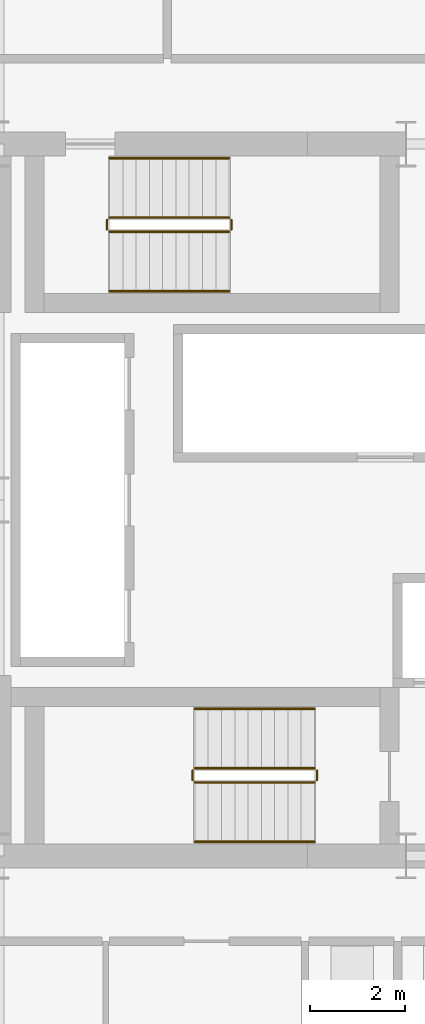
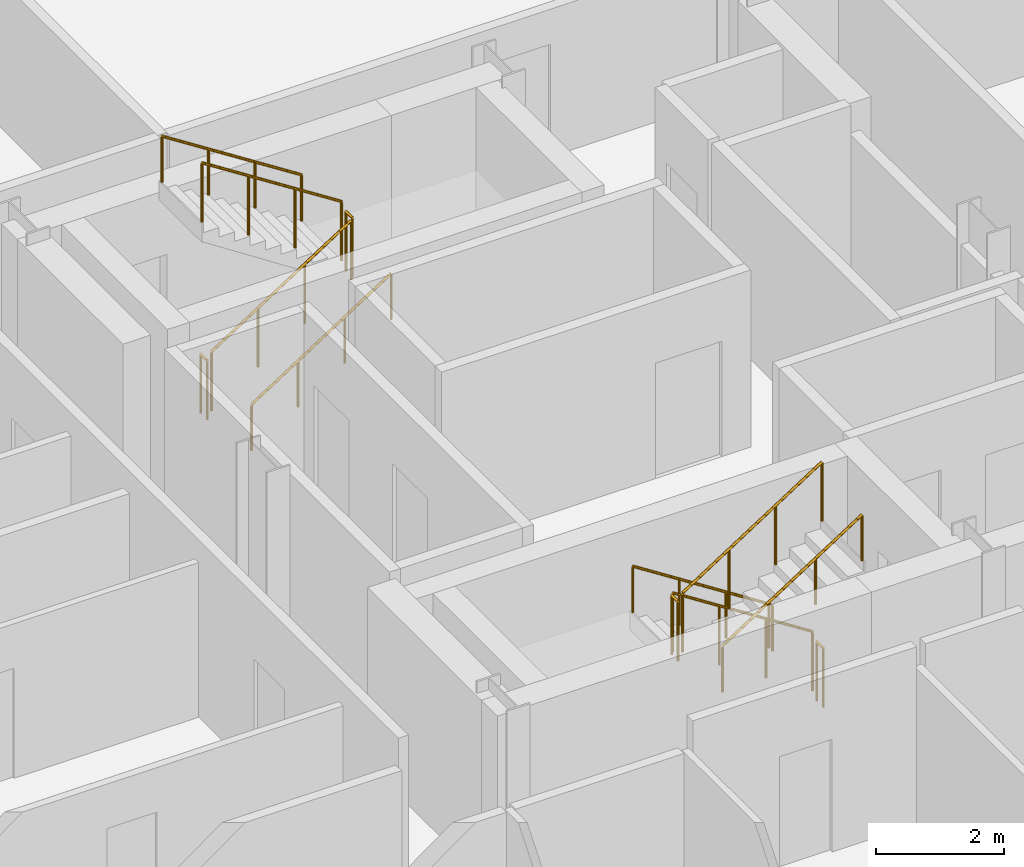
# One storey, part 22 of 23: 12 railings.
"""IFC4 building model written with IfcOpenShell, lengths in metres."""

import ifcopenshell
import ifcopenshell.guid

model = None  # the IFC model being written
_history = None  # IfcOwnerHistory: only IFC2X3 demands one
_inside = {}  # id of a spatial element -> (the spatial element, [elements in it])
_under = {}  # id of a project, library or spatial element -> (it, [spatial elements below it])
_declared = {}  # id of a project -> (the project, [libraries it declares])
_typed = {}  # id of a type object -> (the type object, [elements of that type])
_made_of = {}  # id of a material, layer set ... -> (it, [elements and type objects made of it])


def new_model(schema):
    """Start an empty IFC model of exactly this schema.

    Asked for "IFC4X3", IfcOpenShell would pick the latest addendum, in which some entities
    have other attributes; the version numbers below select the first issue.
    IFC2X3 requires an IfcOwnerHistory on every rooted entity: one is made here for all.
    """
    global model, _history
    if schema == "IFC4X3":
        model = ifcopenshell.file(schema_version=(4, 3, 0, 0))
    else:
        model = ifcopenshell.file(schema=schema)
    _inside.clear()
    _under.clear()
    _declared.clear()
    _typed.clear()
    _made_of.clear()
    _history = None
    if model.schema == "IFC2X3":
        org = make("IfcOrganization", Name="unknown")
        user = make(
            "IfcPersonAndOrganization",
            ThePerson=make("IfcPerson", FamilyName="unknown"),
            TheOrganization=org,
        )
        app = make(
            "IfcApplication",
            ApplicationDeveloper=org,
            Version="unknown",
            ApplicationFullName="unknown",
            ApplicationIdentifier="unknown",
        )
        _history = make(
            "IfcOwnerHistory",
            OwningUser=user,
            OwningApplication=app,
            ChangeAction="ADDED",
            CreationDate=0,
        )
    return model


def make(cls, **values):
    """One entity of the class cls with the attributes given. An attribute that is None is left unset."""
    return model.create_entity(
        cls, **{name: value for name, value in values.items() if value is not None}
    )


def rooted(cls, **values):
    """An entity with a GlobalId (a new one), such as an element, a storey or a relation."""
    return make(cls, GlobalId=ifcopenshell.guid.new(), OwnerHistory=_history, **values)


def si_unit(unit_type, name, prefix=None):
    """IfcSIUnit, for example si_unit("LENGTHUNIT", "METRE", prefix="MILLI")."""
    return make("IfcSIUnit", UnitType=unit_type, Prefix=prefix, Name=name)


def assignment(units):
    """IfcUnitAssignment: the units of a project."""
    return None if units is None else make("IfcUnitAssignment", Units=units)


def point(xyz):
    """IfcCartesianPoint."""
    return None if xyz is None else make("IfcCartesianPoint", Coordinates=xyz)


def direction(xyz):
    """IfcDirection."""
    return None if xyz is None else make("IfcDirection", DirectionRatios=xyz)


def frame(location, z_axis=None, x_axis=None):
    """IfcAxis2Placement3D, a coordinate frame: its origin and axes. An axis left out is left unset."""
    return make(
        "IfcAxis2Placement3D",
        Location=point(location),
        Axis=direction(z_axis),
        RefDirection=direction(x_axis),
    )


def frame_2d(location, x_axis=None):
    """IfcAxis2Placement2D, a coordinate frame in the plane: its origin and x axis."""
    return make(
        "IfcAxis2Placement2D", Location=point(location), RefDirection=direction(x_axis)
    )


def origin():
    """The frame at (0, 0, 0) with its axes left unset."""
    return frame((0.0, 0.0, 0.0))


def origin_2d():
    """The frame at (0, 0) in the plane with its x axis left unset."""
    return frame_2d((0.0, 0.0))


def place(relative_to, where):
    """IfcLocalPlacement: puts the frame where relative to a parent placement (None: the world)."""
    return make(
        "IfcLocalPlacement", PlacementRelTo=relative_to, RelativePlacement=where
    )


def context(
    kind, dimensions, precision=None, world=None, true_north=None, identifier=None
):
    """IfcGeometricRepresentationContext, for example the 3D "Model" context."""
    return make(
        "IfcGeometricRepresentationContext",
        ContextIdentifier=identifier,
        ContextType=kind,
        CoordinateSpaceDimension=dimensions,
        Precision=precision,
        WorldCoordinateSystem=world,
        TrueNorth=true_north,
    )


def subcontext(parent, identifier, kind, view, scale=None):
    """IfcGeometricRepresentationSubContext, for example "Body" below "Model"."""
    return make(
        "IfcGeometricRepresentationSubContext",
        ContextIdentifier=identifier,
        ContextType=kind,
        ParentContext=parent,
        TargetScale=scale,
        TargetView=view,
    )


def project(units=None, contexts=None):
    """IfcProject with its units and contexts."""
    return rooted(
        "IfcProject",
        Name="project",
        RepresentationContexts=contexts,
        UnitsInContext=assignment(units),
    )


def spatial(cls, under=None, at=None, **own):
    """A site, building, storey or space (cls), placed at a placement, below another one or the project."""
    s = rooted(cls, ObjectPlacement=at, **own)
    if under is not None:
        _under.setdefault(under.id(), (under, []))[1].append(s)
    return s


def profile(cls, at=None, kind="AREA", **sizes):
    """A parametric profile (cls). Its sizes go by their IFC names, for example OverallWidth=200.0."""
    return make(cls, ProfileType=kind, Position=at, **sizes)


def circle(**sizes):
    """IfcCircleProfileDef."""
    return profile("IfcCircleProfileDef", **sizes)


def extrude(swept, where, along, depth):
    """IfcExtrudedAreaSolid: the profile swept, set in the frame where, extruded along a direction by depth."""
    return make(
        "IfcExtrudedAreaSolid",
        SweptArea=swept,
        Position=where,
        ExtrudedDirection=direction(along),
        Depth=depth,
    )


def shape(context_of_items, identifier, shape_type, items):
    """IfcShapeRepresentation: the items that make up one representation, for example the "Body"."""
    return make(
        "IfcShapeRepresentation",
        ContextOfItems=context_of_items,
        RepresentationIdentifier=identifier,
        RepresentationType=shape_type,
        Items=items,
    )


def material(Name=None, Category=None):
    """IfcMaterial."""
    return make("IfcMaterial", Name=Name, Category=Category)


def made_of(thing, what):
    """Note that an element or type object is made of a material, layer set ...; save() writes the relation."""
    if what is not None:
        _made_of.setdefault(what.id(), (what, []))[1].append(thing)
    return thing


def type_object(cls, material=None, **own):
    """A type object (cls), such as IfcWallType, which elements share."""
    return made_of(rooted(cls, **own), material)


def element(
    cls,
    number,
    at=None,
    inside=None,
    cuts=None,
    type_object=None,
    material=None,
    context=None,
    identifier="Body",
    shape_type=None,
    held_by="IfcProductDefinitionShape",
    body=None,
    shapes=None,
    **own,
):
    """One element of the class cls, such as IfcWall. Its Tag is "e" and its number.

    at: its placement. inside: the storey or other place that contains it. cuts: it is an
    opening in that element (IfcRelVoidsElement). A single representation is given by context,
    identifier, shape_type and body (its items); several are given by shapes. held_by: the class
    of the entity that holds the representations. save() writes the other relations.
    """
    e = rooted(cls, Tag="e%d" % number, ObjectPlacement=at, **own)
    if body is not None:
        shapes = [shape(context, identifier, shape_type, body)]
    if shapes is not None:
        e.Representation = make(held_by, Representations=shapes)
    if inside is not None:
        _inside.setdefault(inside.id(), (inside, []))[1].append(e)
    if cuts is not None:
        rooted(
            "IfcRelVoidsElement", RelatingBuildingElement=cuts, RelatedOpeningElement=e
        )
    if type_object is not None:
        _typed.setdefault(type_object.id(), (type_object, []))[1].append(e)
    return made_of(e, material)


def aggregate(whole, parts):
    """IfcRelAggregates: a whole, such as a stair, and the parts it consists of."""
    return rooted("IfcRelAggregates", RelatingObject=whole, RelatedObjects=parts)


def save(model, path):
    """Write the relations noted so far, then the file.

    IfcRelAggregates (storeys below a building ...), IfcRelContainedInSpatialStructure (elements
    in a storey), IfcRelDefinesByType, IfcRelAssociatesMaterial and IfcRelDeclares: one each for
    every whole, place, type object, material and project.
    """
    for whole, parts in _under.values():
        aggregate(whole, parts)
    for where, things in _inside.values():
        rooted(
            "IfcRelContainedInSpatialStructure",
            RelatedElements=things,
            RelatingStructure=where,
        )
    for kind, things in _typed.values():
        rooted("IfcRelDefinesByType", RelatedObjects=things, RelatingType=kind)
    for what, things in _made_of.values():
        rooted("IfcRelAssociatesMaterial", RelatedObjects=things, RelatingMaterial=what)
    for by, libraries in _declared.values():
        rooted("IfcRelDeclares", RelatingContext=by, RelatedDefinitions=libraries)
    model.write(path)


model = new_model("IFC4")

# Units and contexts
model_context = context("Model", 3, precision=1e-05, world=origin(), true_north=direction((0.0, 1.0)))
body_context = subcontext(model_context, "Body", "Model", "MODEL_VIEW")
ifc_project = project(units=[si_unit("LENGTHUNIT", "METRE"), si_unit("AREAUNIT", "SQUARE_METRE"), si_unit("VOLUMEUNIT", "CUBIC_METRE"), si_unit("PLANEANGLEUNIT", "RADIAN"), si_unit("MASSUNIT", "GRAM", prefix="KILO")], contexts=[model_context])

# Site, building, storey
site_placement = place(None, origin())
site = spatial("IfcSite", under=ifc_project, at=site_placement, CompositionType="ELEMENT")
building_placement = place(site_placement, origin())
building = spatial("IfcBuilding", under=site, at=building_placement, Name="Barlavira Tower and Art Museum", CompositionType="ELEMENT")
storey_placement = place(building_placement, frame((0.0, 0.0, 54.0)))
storey = spatial("IfcBuildingStorey", under=building, at=storey_placement, Name="L12", CompositionType="ELEMENT", Elevation=54.0)

# Railings
ifc_material = material(Name="Brushed stainless steel", Category="steel")
railing_type_1 = type_object("IfcRailingType", Name="Interior Void and Landing Guard Railing 1150", PredefinedType="GUARDRAIL", material=ifc_material)
railing_1_placement = place(storey_placement, frame((0.14990234375, -5.64990234375, 0.179931640625)))
element("IfcRailing", 1, at=railing_1_placement, inside=storey, type_object=railing_type_1, Name="L12 ST-T1 stair guard 1", PredefinedType="GUARDRAIL", context=body_context, shape_type="SweptSolid", body=[
    extrude(circle(Radius=0.02392578125, at=origin_2d()), frame((0.0, 0.0, 1.1259765625), z_axis=(-0.841162588446, 0.0, 0.540782303519), x_axis=(0.0, -1.0, 0.0)), (0.0, 0.0, 1.0), 2.995849609375),
    extrude(circle(Radius=0.02099609375, at=origin_2d()), origin(), (0.0, 0.0, 1.0), 1.101806640625),
    extrude(circle(Radius=0.02099609375, at=origin_2d()), frame((-0.840087890625, 0.0, 0.5400390625)), (0.0, 0.0, 1.0), 1.101806640625),
    extrude(circle(Radius=0.02099609375, at=origin_2d()), frame((-1.679931640625, 0.0, 1.080078125)), (0.0, 0.0, 1.0), 1.101806640625),
    extrude(circle(Radius=0.02099609375, at=origin_2d()), frame((-2.52001953125, 0.0, 1.6201171875)), (0.0, 0.0, 1.0), 1.101806640625),
])
railing_2_placement = place(storey_placement, frame((-2.419921875, -5.699951171875, 1.800048828125)))
element("IfcRailing", 2, at=railing_2_placement, inside=storey, type_object=railing_type_1, Name="L12 ST-T1 stair guard 2", PredefinedType="GUARDRAIL", context=body_context, shape_type="SweptSolid", body=[
    extrude(circle(Radius=0.02392578125, at=origin_2d()), frame((0.0, 0.0, 1.1259765625), z_axis=(0.0, -1.0, 0.0), x_axis=(1.0, 0.0, 0.0)), (0.0, 0.0, 1.0), 0.199951171875),
    extrude(circle(Radius=0.02099609375, at=origin_2d()), origin(), (0.0, 0.0, 1.0), 1.101806640625),
    extrude(circle(Radius=0.02099609375, at=origin_2d()), frame((0.0, -0.199951171875, 0.0)), (0.0, 0.0, 1.0), 1.101806640625),
])
railing_3_placement = place(storey_placement, frame((-2.3701171875, -5.949951171875, 1.97998046875)))
element("IfcRailing", 3, at=railing_3_placement, inside=storey, type_object=railing_type_1, Name="L12 ST-T1 stair guard 3", PredefinedType="GUARDRAIL", context=body_context, shape_type="SweptSolid", body=[
    extrude(circle(Radius=0.02392578125, at=origin_2d()), frame((0.0, 0.0, 1.1259765625), z_axis=(0.841162588446, 0.0, 0.540782303519), x_axis=(0.0, 1.0, 0.0)), (0.0, 0.0, 1.0), 2.995849609375),
    extrude(circle(Radius=0.02099609375, at=origin_2d()), origin(), (0.0, 0.0, 1.0), 1.101806640625),
    extrude(circle(Radius=0.02099609375, at=origin_2d()), frame((0.840087890625, 0.0, 0.5400390625)), (0.0, 0.0, 1.0), 1.101806640625),
    extrude(circle(Radius=0.02099609375, at=origin_2d()), frame((1.679931640625, 0.0, 1.080078125)), (0.0, 0.0, 1.0), 1.101806640625),
    extrude(circle(Radius=0.02099609375, at=origin_2d()), frame((2.52001953125, 0.0, 1.6201171875)), (0.0, 0.0, 1.0), 1.101806640625),
])
railing_4_placement = place(storey_placement, frame((0.199951171875, -5.699951171875, 0.0)))
element("IfcRailing", 4, at=railing_4_placement, inside=storey, type_object=railing_type_1, Name="L12 ST-T1 stair guard 4", PredefinedType="GUARDRAIL", context=body_context, shape_type="SweptSolid", body=[
    extrude(circle(Radius=0.02392578125, at=origin_2d()), frame((0.0, 0.0, 1.1259765625), z_axis=(0.0, -1.0, 0.0), x_axis=(1.0, 0.0, 0.0)), (0.0, 0.0, 1.0), 0.199951171875),
    extrude(circle(Radius=0.02099609375, at=origin_2d()), origin(), (0.0, 0.0, 1.0), 1.101806640625),
    extrude(circle(Radius=0.02099609375, at=origin_2d()), frame((0.0, -0.199951171875, 0.0)), (0.0, 0.0, 1.0), 1.101806640625),
])
railing_5_placement = place(storey_placement, frame((-4.169921875, 5.64990234375, 0.179931640625)))
element("IfcRailing", 5, at=railing_5_placement, inside=storey, type_object=railing_type_1, Name="L12 ST-T2 stair guard 1", PredefinedType="GUARDRAIL", context=body_context, shape_type="SweptSolid", body=[
    extrude(circle(Radius=0.02392578125, at=origin_2d()), frame((0.0, 0.0, 1.1259765625), z_axis=(0.841162588446, 0.0, 0.540782303519), x_axis=(0.0, 1.0, 0.0)), (0.0, 0.0, 1.0), 2.995849609375),
    extrude(circle(Radius=0.02099609375, at=origin_2d()), origin(), (0.0, 0.0, 1.0), 1.101806640625),
    extrude(circle(Radius=0.02099609375, at=origin_2d()), frame((0.840087890625, 0.0, 0.5400390625)), (0.0, 0.0, 1.0), 1.101806640625),
    extrude(circle(Radius=0.02099609375, at=origin_2d()), frame((1.679931640625, 0.0, 1.080078125)), (0.0, 0.0, 1.0), 1.101806640625),
    extrude(circle(Radius=0.02099609375, at=origin_2d()), frame((2.52001953125, 0.0, 1.6201171875)), (0.0, 0.0, 1.0), 1.101806640625),
])
railing_6_placement = place(storey_placement, frame((-1.60009765625, 5.699951171875, 1.800048828125)))
element("IfcRailing", 6, at=railing_6_placement, inside=storey, type_object=railing_type_1, Name="L12 ST-T2 stair guard 2", PredefinedType="GUARDRAIL", context=body_context, shape_type="SweptSolid", body=[
    extrude(circle(Radius=0.02392578125, at=origin_2d()), frame((0.0, 0.0, 1.1259765625), z_axis=(0.0, 1.0, 0.0), x_axis=(-1.0, 0.0, 0.0)), (0.0, 0.0, 1.0), 0.199951171875),
    extrude(circle(Radius=0.02099609375, at=origin_2d()), origin(), (0.0, 0.0, 1.0), 1.101806640625),
    extrude(circle(Radius=0.02099609375, at=origin_2d()), frame((0.0, 0.199951171875, 0.0)), (0.0, 0.0, 1.0), 1.101806640625),
])
railing_7_placement = place(storey_placement, frame((-1.64990234375, 5.949951171875, 1.97998046875)))
element("IfcRailing", 7, at=railing_7_placement, inside=storey, type_object=railing_type_1, Name="L12 ST-T2 stair guard 3", PredefinedType="GUARDRAIL", context=body_context, shape_type="SweptSolid", body=[
    extrude(circle(Radius=0.02392578125, at=origin_2d()), frame((0.0, 0.0, 1.1259765625), z_axis=(-0.841162588446, 0.0, 0.540782303519), x_axis=(0.0, -1.0, 0.0)), (0.0, 0.0, 1.0), 2.995849609375),
    extrude(circle(Radius=0.02099609375, at=origin_2d()), origin(), (0.0, 0.0, 1.0), 1.101806640625),
    extrude(circle(Radius=0.02099609375, at=origin_2d()), frame((-0.840087890625, 0.0, 0.5400390625)), (0.0, 0.0, 1.0), 1.101806640625),
    extrude(circle(Radius=0.02099609375, at=origin_2d()), frame((-1.679931640625, 0.0, 1.080078125)), (0.0, 0.0, 1.0), 1.101806640625),
    extrude(circle(Radius=0.02099609375, at=origin_2d()), frame((-2.52001953125, 0.0, 1.6201171875)), (0.0, 0.0, 1.0), 1.101806640625),
])
railing_8_placement = place(storey_placement, frame((-4.219970703125, 5.699951171875, 0.0)))
element("IfcRailing", 8, at=railing_8_placement, inside=storey, type_object=railing_type_1, Name="L12 ST-T2 stair guard 4", PredefinedType="GUARDRAIL", context=body_context, shape_type="SweptSolid", body=[
    extrude(circle(Radius=0.02392578125, at=origin_2d()), frame((0.0, 0.0, 1.1259765625), z_axis=(0.0, 1.0, 0.0), x_axis=(-1.0, 0.0, 0.0)), (0.0, 0.0, 1.0), 0.199951171875),
    extrude(circle(Radius=0.02099609375, at=origin_2d()), origin(), (0.0, 0.0, 1.0), 1.101806640625),
    extrude(circle(Radius=0.02099609375, at=origin_2d()), frame((0.0, 0.199951171875, 0.0)), (0.0, 0.0, 1.0), 1.101806640625),
])
railing_type_2 = type_object("IfcRailingType", Name="Stair Pitch Tubular Steel Handrail 920", PredefinedType="HANDRAIL", material=ifc_material)
railing_9_placement = place(storey_placement, frame((0.14990234375, -4.39990234375, 0.179931640625)))
element("IfcRailing", 9, at=railing_9_placement, inside=storey, type_object=railing_type_2, Name="L12 ST-T1 stair handrail 1", PredefinedType="HANDRAIL", context=body_context, shape_type="SweptSolid", body=[
    extrude(circle(Radius=0.02392578125, at=origin_2d()), frame((0.0, 0.0, 0.8759765625), z_axis=(-0.841162588446, 0.0, 0.540782303519), x_axis=(0.0, -1.0, 0.0)), (0.0, 0.0, 1.0), 2.995849609375),
    extrude(circle(Radius=0.02099609375, at=origin_2d()), origin(), (0.0, 0.0, 1.0), 0.851806640625),
    extrude(circle(Radius=0.02099609375, at=origin_2d()), frame((-0.840087890625, 0.0, 0.5400390625)), (0.0, 0.0, 1.0), 0.851806640625),
    extrude(circle(Radius=0.02099609375, at=origin_2d()), frame((-1.679931640625, 0.0, 1.080078125)), (0.0, 0.0, 1.0), 0.851806640625),
    extrude(circle(Radius=0.02099609375, at=origin_2d()), frame((-2.52001953125, 0.0, 1.6201171875)), (0.0, 0.0, 1.0), 0.851806640625),
])
for number, where, name in (
    (10, (-2.3701171875, -7.199951171875, 1.97998046875), "L12 ST-T1 stair handrail 2"),
    (11, (-4.169921875, 4.39990234375, 0.179931640625), "L12 ST-T2 stair handrail 1"),
):
    element("IfcRailing", number, at=place(storey_placement, frame(where)), inside=storey, type_object=railing_type_2, Name=name, PredefinedType="HANDRAIL", context=body_context, shape_type="SweptSolid", body=[
        extrude(circle(Radius=0.02392578125, at=origin_2d()), frame((0.0, 0.0, 0.8759765625), z_axis=(0.841162588446, 0.0, 0.540782303519), x_axis=(0.0, 1.0, 0.0)), (0.0, 0.0, 1.0), 2.995849609375),
        extrude(circle(Radius=0.02099609375, at=origin_2d()), origin(), (0.0, 0.0, 1.0), 0.851806640625),
        extrude(circle(Radius=0.02099609375, at=origin_2d()), frame((0.840087890625, 0.0, 0.5400390625)), (0.0, 0.0, 1.0), 0.851806640625),
        extrude(circle(Radius=0.02099609375, at=origin_2d()), frame((1.679931640625, 0.0, 1.080078125)), (0.0, 0.0, 1.0), 0.851806640625),
        extrude(circle(Radius=0.02099609375, at=origin_2d()), frame((2.52001953125, 0.0, 1.6201171875)), (0.0, 0.0, 1.0), 0.851806640625),
    ])
railing_10_placement = place(storey_placement, frame((-1.64990234375, 7.199951171875, 1.97998046875)))
element("IfcRailing", 12, at=railing_10_placement, inside=storey, type_object=railing_type_2, Name="L12 ST-T2 stair handrail 2", PredefinedType="HANDRAIL", context=body_context, shape_type="SweptSolid", body=[
    extrude(circle(Radius=0.02392578125, at=origin_2d()), frame((0.0, 0.0, 0.8759765625), z_axis=(-0.841162588446, 0.0, 0.540782303519), x_axis=(0.0, -1.0, 0.0)), (0.0, 0.0, 1.0), 2.995849609375),
    extrude(circle(Radius=0.02099609375, at=origin_2d()), origin(), (0.0, 0.0, 1.0), 0.851806640625),
    extrude(circle(Radius=0.02099609375, at=origin_2d()), frame((-0.840087890625, 0.0, 0.5400390625)), (0.0, 0.0, 1.0), 0.851806640625),
    extrude(circle(Radius=0.02099609375, at=origin_2d()), frame((-1.679931640625, 0.0, 1.080078125)), (0.0, 0.0, 1.0), 0.851806640625),
    extrude(circle(Radius=0.02099609375, at=origin_2d()), frame((-2.52001953125, 0.0, 1.6201171875)), (0.0, 0.0, 1.0), 0.851806640625),
])

save(model, "model.ifc")
